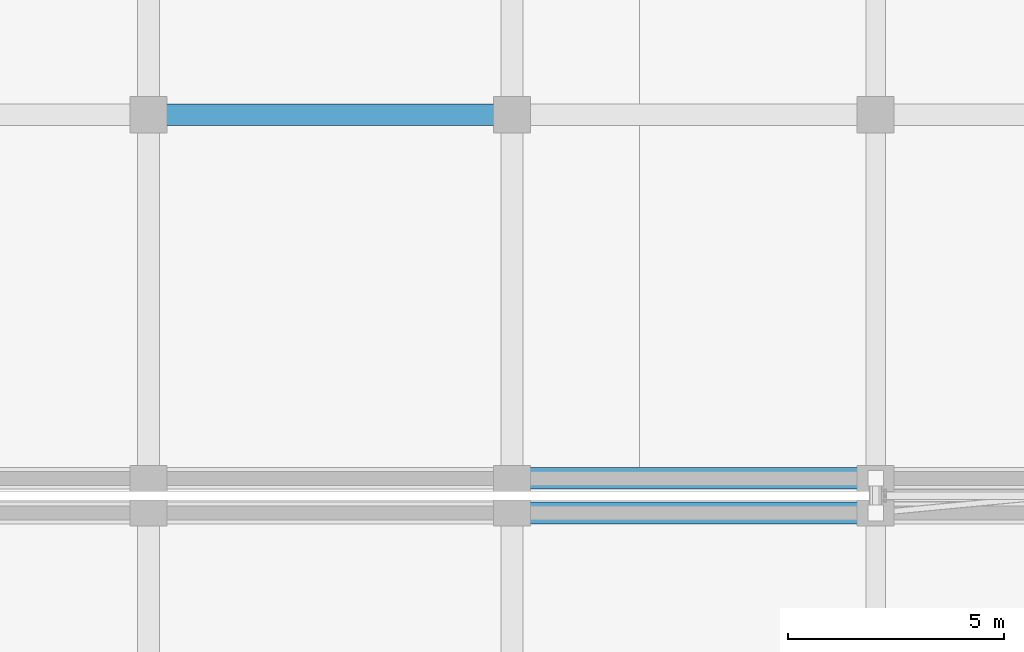
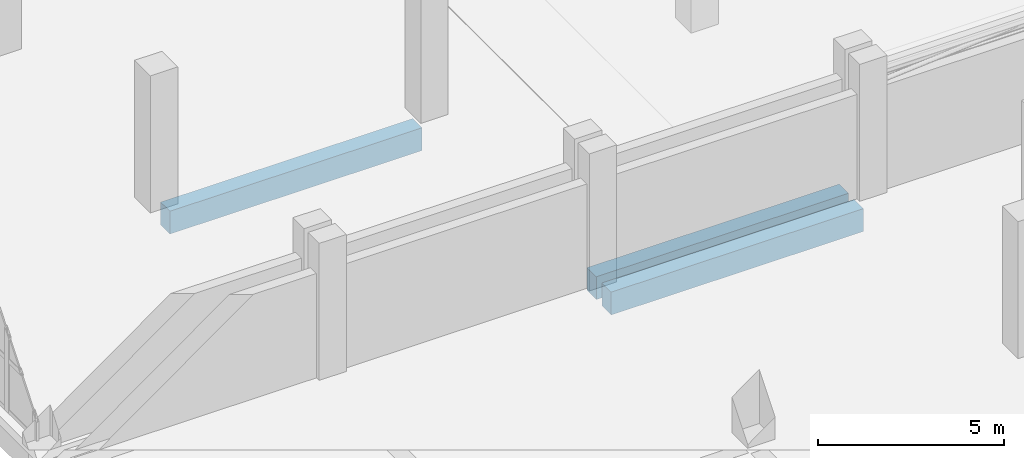
# One storey, part 24 of 137: 3 beams.
"""IFC4 building model written with IfcOpenShell, lengths in metres."""

from ifc_helpers import new_model, si_unit, direction, frame, origin, origin_2d, place, context, subcontext, project, spatial, rectangle, extrude, material, material_profile, profile_set, type_object, element, save


model = new_model("IFC4")

# Units and contexts
model_context = context("Model", 3, precision=1e-05, world=origin(), true_north=direction((0.0, 1.0)))
body_context = subcontext(model_context, "Body", "Model", "MODEL_VIEW")
ifc_project = project(units=[si_unit("LENGTHUNIT", "METRE"), si_unit("AREAUNIT", "SQUARE_METRE"), si_unit("VOLUMEUNIT", "CUBIC_METRE"), si_unit("PLANEANGLEUNIT", "RADIAN"), si_unit("MASSUNIT", "GRAM", prefix="KILO")], contexts=[model_context])

# Site, building, storey
site_placement = place(None, origin())
site = spatial("IfcSite", under=ifc_project, at=site_placement, CompositionType="ELEMENT")
building_placement = place(site_placement, origin())
building = spatial("IfcBuilding", under=site, at=building_placement, Name="Xazarin Passage Department Store", CompositionType="ELEMENT")
storey_placement = place(building_placement, frame((0.0, 0.0, 5.39990234375)))
storey = spatial("IfcBuildingStorey", under=building, at=storey_placement, Name="L01", CompositionType="ELEMENT", Elevation=5.39990234375)

# Beams
ifc_material = material(Name="Concrete C35/45", Category="concrete")
ifc_material_profile = material_profile(ifc_material, rectangle(XDim=0.5, YDim=0.75, at=origin_2d()), Name="RC 500x750")
ifc_profile_set = profile_set([ifc_material_profile], Name="Concrete C35/45")
beam_type = type_object("IfcBeamType", Name="STR-BM-SP500x750", PredefinedType="SPANDREL", material=ifc_profile_set)
beam_1_placement = place(storey_placement, frame((17.080078125, 51.199951171875, -0.6748046875), z_axis=(1.0, 0.0, 0.0), x_axis=(0.0, 1.0, 0.0)))
element("IfcBeam", 1, at=beam_1_placement, inside=storey, type_object=beam_type, Name="L01 Grid Beam H/3-4", PredefinedType="SPANDREL", context=body_context, shape_type="SweptSolid", body=[
    extrude(rectangle(XDim=0.5, YDim=0.75, at=origin_2d()), origin(), (0.0, 0.0, 1.0), 7.83984375),
])
beam_2_placement = place(storey_placement, frame((8.679931640625, 59.60009765625, -0.6748046875), z_axis=(1.0, 0.0, 0.0), x_axis=(0.0, 1.0, 0.0)))
element("IfcBeam", 2, at=beam_2_placement, inside=storey, type_object=beam_type, Name="L01 Grid Beam J/2-3", PredefinedType="SPANDREL", context=body_context, shape_type="SweptSolid", body=[
    extrude(rectangle(XDim=0.5, YDim=0.75, at=origin_2d()), origin(), (0.0, 0.0, 1.0), 7.840087890625),
])
beam_3_placement = place(storey_placement, frame((17.080078125, 50.39990234375, -0.69482421875), z_axis=(1.0, 0.0, 0.0), x_axis=(0.0, 1.0, 0.0)))
element("IfcBeam", 3, at=beam_3_placement, inside=storey, type_object=beam_type, Name="L01 Grid Beam G/3-4", PredefinedType="SPANDREL", context=body_context, shape_type="SweptSolid", body=[
    extrude(rectangle(XDim=0.5, YDim=0.75, at=origin_2d()), origin(), (0.0, 0.0, 1.0), 7.83984375),
])

save(model, "model.ifc")
